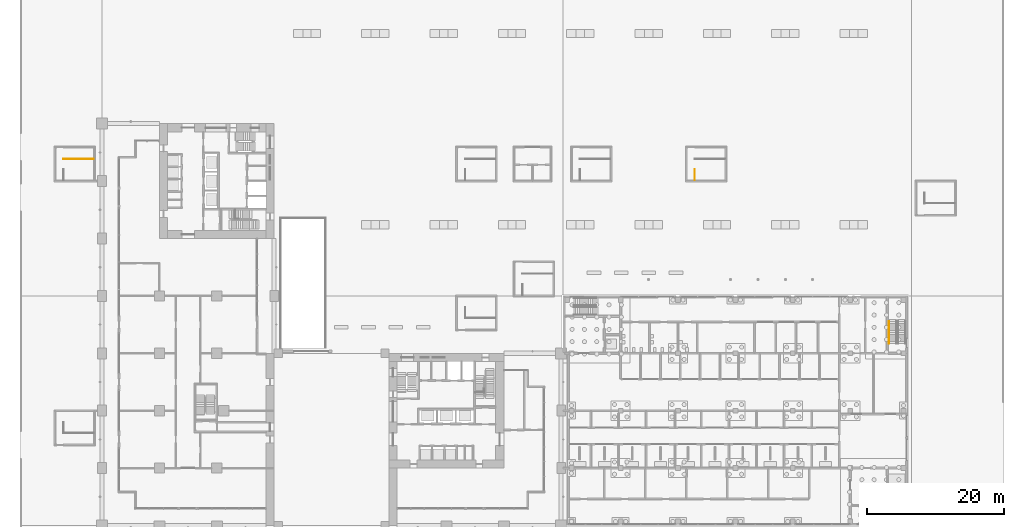
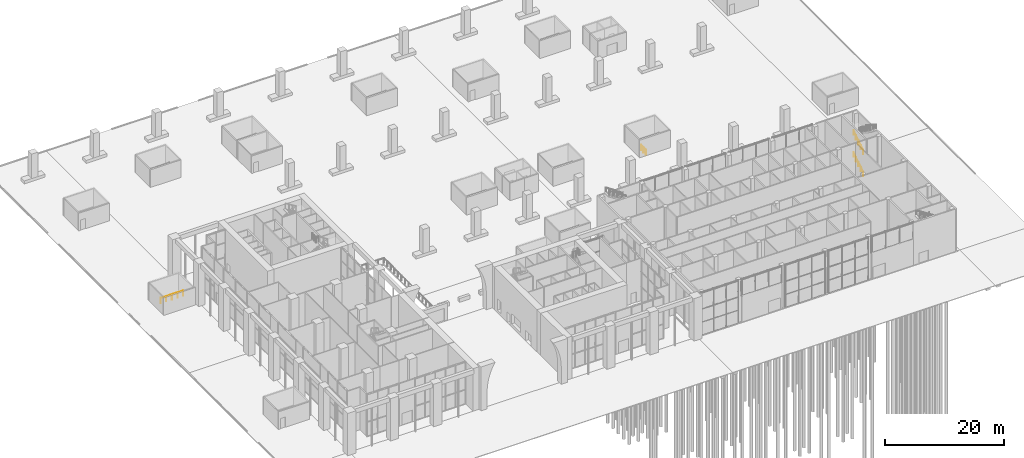
# One storey, part 40 of 46: 4 railings.
"""IFC4 building model written with IfcOpenShell, lengths in metres."""

from ifc_helpers import new_model, si_unit, direction, frame, origin, origin_2d, place, context, subcontext, project, spatial, circle, extrude, material, type_object, element, save


model = new_model("IFC4")

# Units and contexts
model_context = context("Model", 3, precision=1e-05, world=origin(), true_north=direction((0.0, 1.0)))
body_context = subcontext(model_context, "Body", "Model", "MODEL_VIEW")
ifc_project = project(units=[si_unit("LENGTHUNIT", "METRE"), si_unit("AREAUNIT", "SQUARE_METRE"), si_unit("VOLUMEUNIT", "CUBIC_METRE"), si_unit("PLANEANGLEUNIT", "RADIAN"), si_unit("MASSUNIT", "GRAM", prefix="KILO")], contexts=[model_context])

# Site, building, storey
site_placement = place(None, origin())
site = spatial("IfcSite", under=ifc_project, at=site_placement, CompositionType="ELEMENT")
building_placement = place(site_placement, origin())
building = spatial("IfcBuilding", under=site, at=building_placement, Name="Vermilion Gate Residences", CompositionType="ELEMENT")
storey_placement = place(building_placement, origin())
storey = spatial("IfcBuildingStorey", under=building, at=storey_placement, Name="L00", CompositionType="ELEMENT", Elevation=0.0)

# Railings
ifc_material_1 = material(Name="Steel", Category="steel")
railing_type_1 = type_object("IfcRailingType", Name="STAIR WELL GUARD 1100 (AMENITY)", PredefinedType="GUARDRAIL", material=ifc_material_1)
railing_1_placement = place(storey_placement, frame((-5.64990234375, 53.64990234375, 0.0)))
element("IfcRailing", 1, at=railing_1_placement, inside=storey, type_object=railing_type_1, Name="Stair well guard 2 side", PredefinedType="GUARDRAIL", context=body_context, shape_type="SweptSolid", body=[
    extrude(circle(Radius=0.02392578125, at=origin_2d()), frame((0.0, 0.0, 1.076171875), z_axis=(1.0, 0.0, 0.0), x_axis=(0.0, 1.0, 0.0)), (0.0, 0.0, 1.0), 4.39990234375),
    extrude(circle(Radius=0.02099609375, at=origin_2d()), origin(), (0.0, 0.0, 1.0), 1.052001953125),
    extrude(circle(Radius=0.02099609375, at=origin_2d()), frame((1.10009765625, 0.0, 0.0)), (0.0, 0.0, 1.0), 1.052001953125),
    extrude(circle(Radius=0.02099609375, at=origin_2d()), frame((2.199951171875, 0.0, 0.0)), (0.0, 0.0, 1.0), 1.052001953125),
    extrude(circle(Radius=0.02099609375, at=origin_2d()), frame((3.2998046875, 0.0, 0.0)), (0.0, 0.0, 1.0), 1.052001953125),
    extrude(circle(Radius=0.02099609375, at=origin_2d()), frame((4.39990234375, 0.0, 0.0)), (0.0, 0.0, 1.0), 1.052001953125),
])
railing_2_placement = place(storey_placement, frame((86.75, 50.52001953125, 0.0)))
element("IfcRailing", 2, at=railing_2_placement, inside=storey, type_object=railing_type_1, Name="Stair well guard 6", PredefinedType="GUARDRAIL", context=body_context, shape_type="SweptSolid", body=[
    extrude(circle(Radius=0.02392578125, at=origin_2d()), frame((0.0, 0.0, 1.076171875), z_axis=(0.0, 1.0, 0.0), x_axis=(-1.0, 0.0, 0.0)), (0.0, 0.0, 1.0), 1.580078125),
    extrude(circle(Radius=0.02099609375, at=origin_2d()), origin(), (0.0, 0.0, 1.0), 1.052001953125),
    extrude(circle(Radius=0.02099609375, at=origin_2d()), frame((0.0, 0.7900390625, 0.0)), (0.0, 0.0, 1.0), 1.052001953125),
    extrude(circle(Radius=0.02099609375, at=origin_2d()), frame((0.0, 1.580078125, 0.0)), (0.0, 0.0, 1.0), 1.052001953125),
])
ifc_material_2 = material(Name="Steel", Category="steel")
railing_type_2 = type_object("IfcRailingType", Name="STEEL HANDRAIL 900 (MARKET HALL)", PredefinedType="HANDRAIL", material=ifc_material_2)
for number, where, name in (
    (3, (115.14990234375, 26.625, 0.173095703125), "Stair handrail STH3-00-1a"),
    (4, (115.14990234375, 26.625, 4.673095703125), "Stair handrail STH3-00-3a"),
):
    element("IfcRailing", number, at=place(storey_placement, frame(where)), inside=storey, type_object=railing_type_2, Name=name, PredefinedType="HANDRAIL", context=body_context, shape_type="SweptSolid", body=[
        extrude(circle(Radius=0.0224609375, at=origin_2d()), frame((0.0, 0.0, 0.87744140625), z_axis=(0.0, 0.841880617004, 0.539663808971), x_axis=(-1.0, 0.0, 0.0)), (0.0, 0.0, 1.0), 3.8486328125),
        extrude(circle(Radius=0.02001953125, at=origin_2d()), origin(), (0.0, 0.0, 1.0), 0.85498046875),
        extrude(circle(Radius=0.02001953125, at=origin_2d()), frame((0.0, 0.81005859375, 0.519287109375)), (0.0, 0.0, 1.0), 0.85498046875),
        extrude(circle(Radius=0.02001953125, at=origin_2d()), frame((0.0, 1.6201171875, 1.03857421875)), (0.0, 0.0, 1.0), 0.85498046875),
        extrude(circle(Radius=0.02001953125, at=origin_2d()), frame((0.0, 2.429931640625, 1.5576171875)), (0.0, 0.0, 1.0), 0.85498046875),
        extrude(circle(Radius=0.02001953125, at=origin_2d()), frame((0.0, 3.239990234375, 2.076904296875)), (0.0, 0.0, 1.0), 0.85498046875),
    ])

save(model, "model.ifc")
